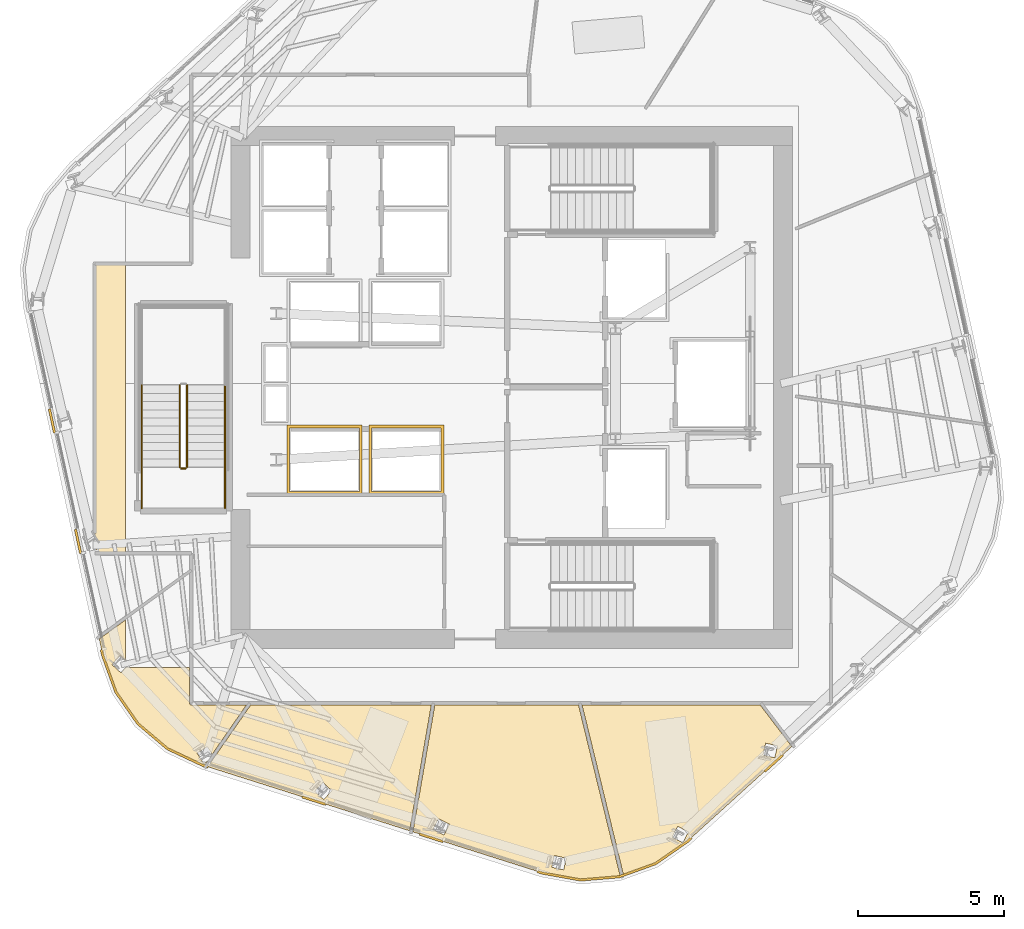
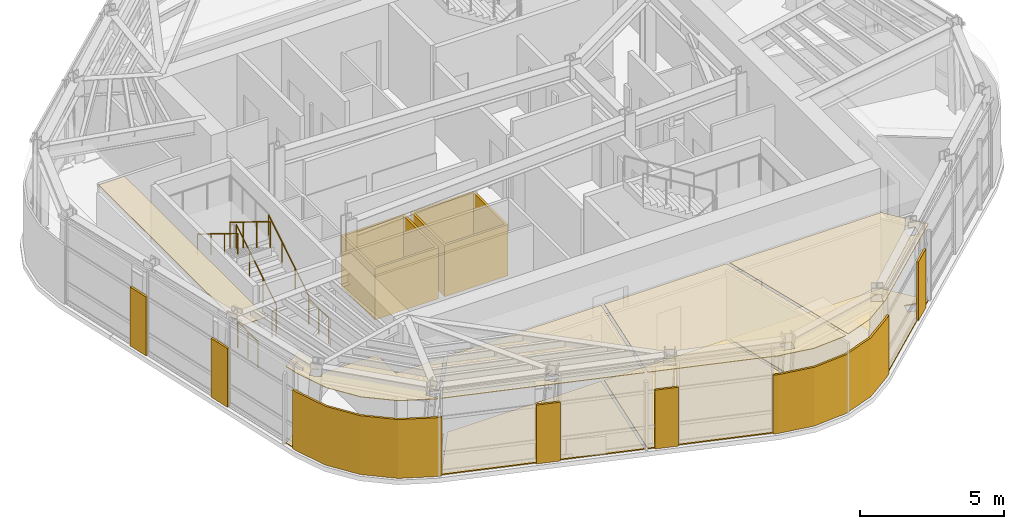
# One storey, part 11 of 15: 18 coverings, 7 railings.
"""IFC4 building model written with IfcOpenShell, lengths in metres."""

from ifc_helpers import new_model, si_unit, direction, frame, origin, origin_2d, place, context, subcontext, project, spatial, polyline, circle, outline, extrude, material, layer, layer_set, type_object, element, save


model = new_model("IFC4")

# Units and contexts
model_context = context("Model", 3, precision=1e-05, world=origin(), true_north=direction((0.0, 1.0)))
body_context = subcontext(model_context, "Body", "Model", "MODEL_VIEW")
ifc_project = project(units=[si_unit("LENGTHUNIT", "METRE"), si_unit("AREAUNIT", "SQUARE_METRE"), si_unit("VOLUMEUNIT", "CUBIC_METRE"), si_unit("PLANEANGLEUNIT", "RADIAN"), si_unit("MASSUNIT", "GRAM", prefix="KILO")], contexts=[model_context])

# Site, building, storey
site_placement = place(None, origin())
site = spatial("IfcSite", under=ifc_project, at=site_placement, CompositionType="ELEMENT")
building_placement = place(site_placement, origin())
building = spatial("IfcBuilding", under=site, at=building_placement, Name="Valkerne Bourse Tower", CompositionType="ELEMENT")
storey_placement = place(building_placement, frame((0.0, 0.0, 205.60009765625)))
storey = spatial("IfcBuildingStorey", under=building, at=storey_placement, Name="L52", CompositionType="ELEMENT", Elevation=205.60009765625)

# Coverings
ifc_material_1 = material(Name="Mineral Fiber Acoustic Ceiling Tile", Category="acoustic")
ifc_layer_1 = layer(ifc_material_1, 0.02490234375)
ifc_layer_set_1 = layer_set([ifc_layer_1], Name="Mineral Fiber Acoustic Ceiling Tile")
covering_type_1 = type_object("IfcCoveringType", Name="COV-CEIL-ACT", PredefinedType="CEILING", material=ifc_layer_set_1)
covering_1_placement = place(storey_placement, frame((0.0, 0.0, 3.25)))
element("IfcCovering", 1, at=covering_1_placement, inside=storey, type_object=covering_type_1, Name="L52 Suspended Ceiling 04", PredefinedType="CEILING", context=body_context, shape_type="SweptSolid", body=[
    extrude(outline(polyline([(34.02392578125, 15.374755859375), (33.270751953125, 16.458251953125), (32.820556640625, 17.70849609375), (32.6982421875, 18.274169921875), (33.60009765625, 18.925537109375), (33.60009765625, 17.528564453125), (33.411865234375, 17.7001953125), (33.13232421875, 17.394287109375), (33.1337890625, 17.392333984375), (33.4375, 17.115478515625), (33.606201171875, 17.300048828125), (35.781005859375, 17.300048828125), (35.781005859375, 16.07958984375), (35.787353515625, 16.05078125), (35.81396484375, 16.02099609375), (35.849365234375, 16.010986328125), (37.729248046875, 16.010986328125), (36.558349609375, 14.32568359375), (36.394775390625, 14.58349609375), (36.392822265625, 14.585205078125), (36.04541015625, 14.36376953125), (36.26708984375, 14.0146484375), (36.26904296875, 14.01318359375), (36.3984375, 14.095703125), (36.289794921875, 13.939453125), (36.234375, 13.95703125), (35.03173828125, 14.52294921875), (34.02392578125, 15.374755859375)])), origin(), (0.0, 0.0, 1.0), 0.02490234375),
])
covering_2_placement = place(storey_placement, frame((0.0, 0.0, 3.25)))
element("IfcCovering", 2, at=covering_2_placement, inside=storey, type_object=covering_type_1, Name="L52 Suspended Ceiling 05", PredefinedType="CEILING", context=body_context, shape_type="SweptSolid", body=[
    extrude(outline(polyline([(44.052001953125, 16.010986328125), (43.309326171875, 11.7119140625), (36.40771484375, 13.902099609375), (37.872802734375, 16.010986328125), (44.052001953125, 16.010986328125)]), holes=[polyline([(40.349853515625, 13.3642578125), (40.347900390625, 13.365234375), (40.068115234375, 13.06298828125), (40.37109375, 12.781494140625), (40.373291015625, 12.78076171875), (40.653076171875, 13.082763671875), (40.349853515625, 13.3642578125)])]), origin(), (0.0, 0.0, 1.0), 0.02490234375),
])
covering_3_placement = place(storey_placement, frame((0.0, 0.0, 3.25)))
element("IfcCovering", 3, at=covering_3_placement, inside=storey, type_object=covering_type_1, Name="L52 Suspended Ceiling 06", PredefinedType="CEILING", context=body_context, shape_type="SweptSolid", body=[
    extrude(outline(polyline([(50.62451171875, 10.199462890625), (49.207763671875, 16.010986328125), (55.302001953125, 16.010986328125), (56.3798828125, 14.5908203125), (52.807861328125, 11.351318359375), (51.71630859375, 10.5927734375), (50.62451171875, 10.199462890625)]), holes=[polyline([(52.843505859375, 11.671875), (52.478759765625, 11.8623046875), (52.4765625, 11.861572265625), (52.285888671875, 11.494384765625), (52.650390625, 11.3037109375), (52.65283203125, 11.3046875), (52.843505859375, 11.671875)]), polyline([(55.888671875, 14.6162109375), (55.487548828125, 14.7080078125), (55.485595703125, 14.706787109375), (55.39404296875, 14.302978515625), (55.795166015625, 14.211181640625), (55.797119140625, 14.21240234375), (55.888671875, 14.6162109375)])]), origin(), (0.0, 0.0, 1.0), 0.02490234375),
])
covering_4_placement = place(storey_placement, frame((0.0, 0.0, 3.25)))
element("IfcCovering", 4, at=covering_4_placement, inside=storey, type_object=covering_type_1, Name="L52 Suspended Ceiling 07", PredefinedType="CEILING", context=body_context, shape_type="SweptSolid", body=[
    extrude(outline(polyline([(47.851806640625, 10.2705078125), (43.4228515625, 11.67578125), (44.171630859375, 16.010986328125), (49.086181640625, 16.010986328125), (50.5126953125, 10.1591796875), (50.474853515625, 10.1455078125), (49.159912109375, 10.035400390625), (47.851806640625, 10.2705078125)]), holes=[polyline([(44.300537109375, 12.1240234375), (44.29833984375, 12.12451171875), (44.111083984375, 11.757568359375), (44.4794921875, 11.569091796875), (44.481689453125, 11.56884765625), (44.668701171875, 11.935791015625), (44.300537109375, 12.1240234375)]), polyline([(48.66650390625, 10.777099609375), (48.2626953125, 10.8662109375), (48.260498046875, 10.865966796875), (48.17236328125, 10.463623046875), (48.576171875, 10.374755859375), (48.57861328125, 10.375), (48.66650390625, 10.777099609375)])]), origin(), (0.0, 0.0, 1.0), 0.02490234375),
])
ifc_material_2 = material(Name="Bronze Anodised Aluminium AA 6063-T6", Category="aluminium")
ifc_layer_2 = layer(ifc_material_2, 0.030029296875)
ifc_layer_set_2 = layer_set([ifc_layer_2], Name="Bronze Anodised Aluminium AA 6063-T6")
covering_type_2 = type_object("IfcCoveringType", Name="COV-CEIL-METAL", PredefinedType="CEILING", material=ifc_layer_set_2)
covering_5_placement = place(storey_placement, frame((0.0, 0.0, 3.25)))
element("IfcCovering", 5, at=covering_5_placement, inside=storey, type_object=covering_type_2, Name="L52 Suspended Ceiling 02", PredefinedType="CEILING", context=body_context, shape_type="SweptSolid", body=[
    extrude(outline(polyline([(32.553955078125, 21.2041015625), (32.553955078125, 21.317626953125), (32.758056640625, 21.44970703125), (32.757080078125, 21.45166015625), (32.553955078125, 21.76513671875), (32.553955078125, 31.095947265625), (33.60009765625, 31.095947265625), (33.60009765625, 21.2041015625), (32.553955078125, 21.2041015625)])), origin(), (0.0, 0.0, 1.0), 0.02490234375),
])
ifc_layer_3 = layer(ifc_material_2, 0.06005859375)
ifc_layer_set_3 = layer_set([ifc_layer_3], Name="Bronze Anodised Aluminium AA 6063-T6")
covering_type_3 = type_object("IfcCoveringType", Name="COV-CRN-ALUM", PredefinedType="CLADDING", material=ifc_layer_set_3)
covering_6_placement = place(storey_placement, origin())
element("IfcCovering", 6, at=covering_6_placement, inside=storey, type_object=covering_type_3, Name="L52 Wind-Shaped Corner Aluminium Cladding 03", PredefinedType="CLADDING", context=body_context, shape_type="SweptSolid", body=[
    extrude(outline(polyline([(55.476318359375, 13.7119140625), (55.42236328125, 13.77099609375), (56.044677734375, 14.335205078125), (56.098388671875, 14.276123046875), (55.476318359375, 13.7119140625)])), origin(), (0.0, 0.0, 1.0), 2.5),
])
covering_7_placement = place(storey_placement, origin())
element("IfcCovering", 7, at=covering_7_placement, inside=storey, type_object=covering_type_3, Name="L52 Wind-Shaped Corner Aluminium Cladding 04", PredefinedType="CLADDING", context=body_context, shape_type="SweptSolid", body=[
    extrude(outline(polyline([(52.835205078125, 11.316650390625), (51.73681640625, 10.55322265625), (50.484375, 10.102294921875), (49.157958984375, 9.990966796875), (47.84130859375, 10.227783203125), (47.656982421875, 10.2861328125), (47.681396484375, 10.3623046875), (47.8603515625, 10.3056640625), (49.16162109375, 10.071533203125), (50.467041015625, 10.18115234375), (51.69970703125, 10.625), (52.785400390625, 11.37939453125), (52.924560546875, 11.505615234375), (52.978515625, 11.446533203125), (52.835205078125, 11.316650390625)])), origin(), (0.0, 0.0, 1.0), 2.5),
])
covering_8_placement = place(storey_placement, origin())
element("IfcCovering", 8, at=covering_8_placement, inside=storey, type_object=covering_type_3, Name="L52 Wind-Shaped Corner Aluminium Cladding 05", PredefinedType="CLADDING", context=body_context, shape_type="SweptSolid", body=[
    extrude(outline(polyline([(43.642333984375, 11.560302734375), (43.66650390625, 11.636474609375), (44.46728515625, 11.38232421875), (44.443115234375, 11.30615234375), (43.642333984375, 11.560302734375)])), origin(), (0.0, 0.0, 1.0), 2.5),
])
covering_9_placement = place(storey_placement, origin())
element("IfcCovering", 9, at=covering_9_placement, inside=storey, type_object=covering_type_3, Name="L52 Wind-Shaped Corner Aluminium Cladding 06", PredefinedType="CLADDING", context=body_context, shape_type="SweptSolid", body=[
    extrude(outline(polyline([(39.627685546875, 12.833984375), (39.65185546875, 12.910400390625), (40.452392578125, 12.65625), (40.42822265625, 12.580078125), (39.627685546875, 12.833984375)])), origin(), (0.0, 0.0, 1.0), 2.5),
])
covering_10_placement = place(storey_placement, origin())
element("IfcCovering", 10, at=covering_10_placement, inside=storey, type_object=covering_type_3, Name="L52 Wind-Shaped Corner Aluminium Cladding 07", PredefinedType="CLADDING", context=body_context, shape_type="SweptSolid", body=[
    extrude(outline(polyline([(36.21826171875, 13.916015625), (35.0078125, 14.485595703125), (33.9912109375, 15.3447265625), (33.231201171875, 16.43798828125), (32.7783203125, 17.6962890625), (32.73486328125, 17.896728515625), (32.81298828125, 17.913818359375), (32.855224609375, 17.718505859375), (33.302978515625, 16.474853515625), (34.05078125, 15.399169921875), (35.051513671875, 14.553466796875), (36.247314453125, 13.99072265625), (36.437744140625, 13.93017578125), (36.41357421875, 13.85400390625), (36.21826171875, 13.916015625)])), origin(), (0.0, 0.0, 1.0), 2.5),
])
covering_11_placement = place(storey_placement, origin())
element("IfcCovering", 11, at=covering_11_placement, inside=storey, type_object=covering_type_3, Name="L52 Wind-Shaped Corner Aluminium Cladding 08", PredefinedType="CLADDING", context=body_context, shape_type="SweptSolid", body=[
    extrude(outline(polyline([(31.844482421875, 22.013427734375), (31.922607421875, 22.030517578125), (32.10009765625, 21.20947265625), (32.02197265625, 21.1923828125), (31.844482421875, 22.013427734375)])), origin(), (0.0, 0.0, 1.0), 2.5),
])
covering_12_placement = place(storey_placement, origin())
element("IfcCovering", 12, at=covering_12_placement, inside=storey, type_object=covering_type_3, Name="L52 Wind-Shaped Corner Aluminium Cladding 09", PredefinedType="CLADDING", context=body_context, shape_type="SweptSolid", body=[
    extrude(outline(polyline([(30.953857421875, 26.13037109375), (31.031982421875, 26.1474609375), (31.209716796875, 25.326416015625), (31.131591796875, 25.309326171875), (30.953857421875, 26.13037109375)])), origin(), (0.0, 0.0, 1.0), 2.5),
])
ifc_material_3 = material(Name="Galvanised Painted Steel", Category="steel")
ifc_layer_4 = layer(ifc_material_3, 0.044921875)
ifc_layer_set_4 = layer_set([ifc_layer_4], Name="Galvanised Painted Steel")
covering_type_4 = type_object("IfcCoveringType", Name="COV-FLR-RAF", PredefinedType="FLOORING", material=ifc_layer_set_4)
covering_13_placement = place(storey_placement, origin())
element("IfcCovering", 13, at=covering_13_placement, inside=storey, type_object=covering_type_4, Name="L52 Floor Finish 05", PredefinedType="FLOORING", context=body_context, shape_type="SweptSolid", body=[
    extrude(outline(polyline([(44.052001953125, 16.010986328125), (43.309326171875, 11.7119140625), (36.40771484375, 13.902099609375), (37.872802734375, 16.010986328125), (44.052001953125, 16.010986328125)]), holes=[polyline([(40.349853515625, 13.3642578125), (40.347900390625, 13.365234375), (40.068115234375, 13.06298828125), (40.37109375, 12.781494140625), (40.373291015625, 12.78076171875), (40.653076171875, 13.082763671875), (40.349853515625, 13.3642578125)])]), origin(), (0.0, 0.0, 1.0), 0.044921875),
])
covering_14_placement = place(storey_placement, origin())
element("IfcCovering", 14, at=covering_14_placement, inside=storey, type_object=covering_type_4, Name="L52 Floor Finish 06", PredefinedType="FLOORING", context=body_context, shape_type="SweptSolid", body=[
    extrude(outline(polyline([(50.62451171875, 10.199462890625), (49.207763671875, 16.010986328125), (55.302001953125, 16.010986328125), (56.3798828125, 14.5908203125), (52.807861328125, 11.351318359375), (51.71630859375, 10.5927734375), (50.62451171875, 10.199462890625)]), holes=[polyline([(52.843505859375, 11.671875), (52.478759765625, 11.8623046875), (52.4765625, 11.861572265625), (52.285888671875, 11.494384765625), (52.650390625, 11.3037109375), (52.65283203125, 11.3046875), (52.843505859375, 11.671875)]), polyline([(55.888671875, 14.6162109375), (55.487548828125, 14.7080078125), (55.485595703125, 14.706787109375), (55.39404296875, 14.302978515625), (55.795166015625, 14.211181640625), (55.797119140625, 14.21240234375), (55.888671875, 14.6162109375)])]), origin(), (0.0, 0.0, 1.0), 0.044921875),
])
covering_15_placement = place(storey_placement, origin())
element("IfcCovering", 15, at=covering_15_placement, inside=storey, type_object=covering_type_4, Name="L52 Floor Finish 07", PredefinedType="FLOORING", context=body_context, shape_type="SweptSolid", body=[
    extrude(outline(polyline([(47.851806640625, 10.2705078125), (43.4228515625, 11.67578125), (44.171630859375, 16.010986328125), (49.086181640625, 16.010986328125), (50.5126953125, 10.1591796875), (50.474853515625, 10.1455078125), (49.159912109375, 10.035400390625), (47.851806640625, 10.2705078125)]), holes=[polyline([(44.300537109375, 12.1240234375), (44.29833984375, 12.12451171875), (44.111083984375, 11.757568359375), (44.4794921875, 11.569091796875), (44.481689453125, 11.56884765625), (44.668701171875, 11.935791015625), (44.300537109375, 12.1240234375)]), polyline([(48.66650390625, 10.777099609375), (48.2626953125, 10.8662109375), (48.260498046875, 10.865966796875), (48.17236328125, 10.463623046875), (48.576171875, 10.374755859375), (48.57861328125, 10.375), (48.66650390625, 10.777099609375)])]), origin(), (0.0, 0.0, 1.0), 0.044921875),
])
ifc_material_4 = material(Name="Polished Granite Stone", Category="masonry")
ifc_layer_5 = layer(ifc_material_4, 0.030029296875)
ifc_layer_set_5 = layer_set([ifc_layer_5], Name="Polished Granite Stone")
covering_type_5 = type_object("IfcCoveringType", Name="COV-FLR-TERRAZZO", PredefinedType="FLOORING", material=ifc_layer_set_5)
covering_16_placement = place(storey_placement, origin())
element("IfcCovering", 16, at=covering_16_placement, inside=storey, type_object=covering_type_5, Name="L52 Floor Finish 04", PredefinedType="FLOORING", context=body_context, shape_type="SweptSolid", body=[
    extrude(outline(polyline([(34.02392578125, 15.374755859375), (33.270751953125, 16.458251953125), (32.820556640625, 17.70849609375), (32.6982421875, 18.274169921875), (33.60009765625, 18.925537109375), (33.60009765625, 17.528564453125), (33.411865234375, 17.7001953125), (33.13232421875, 17.394287109375), (33.1337890625, 17.392333984375), (33.4375, 17.115478515625), (33.606201171875, 17.300048828125), (35.781005859375, 17.300048828125), (35.781005859375, 16.07958984375), (35.787353515625, 16.05078125), (35.81396484375, 16.02099609375), (35.849365234375, 16.010986328125), (37.729248046875, 16.010986328125), (36.558349609375, 14.32568359375), (36.394775390625, 14.58349609375), (36.392822265625, 14.585205078125), (36.04541015625, 14.36376953125), (36.26708984375, 14.0146484375), (36.26904296875, 14.01318359375), (36.3984375, 14.095703125), (36.289794921875, 13.939453125), (36.234375, 13.95703125), (35.03173828125, 14.52294921875), (34.02392578125, 15.374755859375)])), origin(), (0.0, 0.0, 1.0), 0.02978515625),
])
ifc_material_5 = material(Name="Gypsum Shaftwall Liner Board", Category="gypsum")
ifc_layer_6 = layer(ifc_material_5, 0.080078125)
ifc_layer_set_6 = layer_set([ifc_layer_6], Name="Gypsum Shaftwall Liner Board")
covering_type_6 = type_object("IfcCoveringType", Name="COV-SHF-CLAD", PredefinedType="CLADDING", material=ifc_layer_set_6)
covering_17_placement = place(storey_placement, origin())
element("IfcCovering", 17, at=covering_17_placement, inside=storey, type_object=covering_type_6, Name="L52 Hoistway & Riser Shaftwall Liner 01", PredefinedType="CLADDING", context=body_context, shape_type="SweptSolid", body=[
    extrude(outline(polyline([(41.679931640625, 25.580078125), (41.679931640625, 23.219970703125), (39.1201171875, 23.219970703125), (39.1201171875, 25.580078125), (41.679931640625, 25.580078125)]), holes=[polyline([(41.590087890625, 25.489990234375), (39.2099609375, 25.489990234375), (39.2099609375, 23.31005859375), (41.590087890625, 23.31005859375), (41.590087890625, 25.489990234375)])]), origin(), (0.0, 0.0, 1.0), 2.179931640625),
])
covering_18_placement = place(storey_placement, origin())
element("IfcCovering", 18, at=covering_18_placement, inside=storey, type_object=covering_type_6, Name="L52 Hoistway & Riser Shaftwall Liner 02", PredefinedType="CLADDING", context=body_context, shape_type="SweptSolid", body=[
    extrude(outline(polyline([(44.47998046875, 23.219970703125), (41.919921875, 23.219970703125), (41.919921875, 25.580078125), (44.47998046875, 25.580078125), (44.47998046875, 23.219970703125)]), holes=[polyline([(42.010009765625, 25.489990234375), (42.010009765625, 23.31005859375), (44.389892578125, 23.31005859375), (44.389892578125, 25.489990234375), (42.010009765625, 25.489990234375)])]), origin(), (0.0, 0.0, 1.0), 2.179931640625),
])

# Railings
railing_type_1 = type_object("IfcRailingType", Name="RLG-ST-GUARD-1120", PredefinedType="GUARDRAIL", material=ifc_material_3)
railing_1_placement = place(storey_placement, frame((35.699951171875, 24.14990234375, 0.172607421875)))
element("IfcRailing", 19, at=railing_1_placement, inside=storey, type_object=railing_type_1, Name="L52 ST-3 stair guard 1", PredefinedType="GUARDRAIL", context=body_context, shape_type="SweptSolid", body=[
    extrude(circle(Radius=0.02392578125, at=origin_2d()), frame((0.0, 0.0, 1.09619140625), z_axis=(0.0, 0.851089632645, 0.525020415988), x_axis=(-1.0, 0.0, 0.0)), (0.0, 0.0, 1.0), 3.2900390625),
    extrude(circle(Radius=0.02099609375, at=origin_2d()), origin(), (0.0, 0.0, 1.0), 1.072021484375),
    extrude(circle(Radius=0.02099609375, at=origin_2d()), frame((0.0, 0.933349609375, 0.57568359375)), (0.0, 0.0, 1.0), 1.072021484375),
    extrude(circle(Radius=0.02099609375, at=origin_2d()), frame((0.0, 1.86669921875, 1.151611328125)), (0.0, 0.0, 1.0), 1.072021484375),
    extrude(circle(Radius=0.02099609375, at=origin_2d()), frame((0.0, 2.800048828125, 1.727294921875)), (0.0, 0.0, 1.0), 1.072021484375),
])
railing_2_placement = place(storey_placement, frame((35.449951171875, 26.949951171875, 2.072509765625)))
element("IfcRailing", 20, at=railing_2_placement, inside=storey, type_object=railing_type_1, Name="L52 ST-3 stair guard 6", PredefinedType="GUARDRAIL", context=body_context, shape_type="SweptSolid", body=[
    extrude(circle(Radius=0.02392578125, at=origin_2d()), frame((0.0, 0.0, 1.09619140625), z_axis=(0.0, -0.851089632645, 0.525020415988), x_axis=(1.0, 0.0, 0.0)), (0.0, 0.0, 1.0), 3.2900390625),
    extrude(circle(Radius=0.02099609375, at=origin_2d()), origin(), (0.0, 0.0, 1.0), 1.072021484375),
    extrude(circle(Radius=0.02099609375, at=origin_2d()), frame((0.0, -0.933349609375, 0.57568359375)), (0.0, 0.0, 1.0), 1.072021484375),
    extrude(circle(Radius=0.02099609375, at=origin_2d()), frame((0.0, -1.86669921875, 1.151611328125)), (0.0, 0.0, 1.0), 1.072021484375),
    extrude(circle(Radius=0.02099609375, at=origin_2d()), frame((0.0, -2.800048828125, 1.727294921875)), (0.0, 0.0, 1.0), 1.072021484375),
])
railing_3_placement = place(storey_placement, frame((35.64990234375, 24.10009765625, 0.0)))
element("IfcRailing", 21, at=railing_3_placement, inside=storey, type_object=railing_type_1, Name="L52 ST-3 stair guard 7", PredefinedType="GUARDRAIL", context=body_context, shape_type="SweptSolid", body=[
    extrude(circle(Radius=0.02392578125, at=origin_2d()), frame((0.0, 0.0, 1.09619140625), z_axis=(-1.0, 0.0, 0.0), x_axis=(0.0, -1.0, 0.0)), (0.0, 0.0, 1.0), 0.14990234375),
    extrude(circle(Radius=0.02099609375, at=origin_2d()), origin(), (0.0, 0.0, 1.0), 1.072021484375),
    extrude(circle(Radius=0.02099609375, at=origin_2d()), frame((-0.14990234375, 0.0, 0.0)), (0.0, 0.0, 1.0), 1.072021484375),
])
for number, where, name in (
    (22, (37.0, 22.75, 0.0), "L52 ST-3 stair guard 8"),
    (23, (34.14990234375, 22.75, 0.0), "L52 ST-3 stair guard 9"),
):
    element("IfcRailing", number, at=place(storey_placement, frame(where)), inside=storey, type_object=railing_type_1, Name=name, PredefinedType="GUARDRAIL", context=body_context, shape_type="SweptSolid", body=[
        extrude(circle(Radius=0.02392578125, at=origin_2d()), frame((0.0, 0.0, 1.09619140625), z_axis=(0.0, 1.0, 0.0), x_axis=(-1.0, 0.0, 0.0)), (0.0, 0.0, 1.0), 1.39990234375),
        extrude(circle(Radius=0.02099609375, at=origin_2d()), origin(), (0.0, 0.0, 1.0), 1.072021484375),
        extrude(circle(Radius=0.02099609375, at=origin_2d()), frame((0.0, 0.699951171875, 0.0)), (0.0, 0.0, 1.0), 1.072021484375),
        extrude(circle(Radius=0.02099609375, at=origin_2d()), frame((0.0, 1.39990234375, 0.0)), (0.0, 0.0, 1.0), 1.072021484375),
    ])
ifc_material_6 = material(Name="Stainless Steel AISI 316", Category="steel")
railing_type_2 = type_object("IfcRailingType", Name="RLG-ST-HANDRAIL-900", PredefinedType="HANDRAIL", material=ifc_material_6)
railing_4_placement = place(storey_placement, frame((37.0, 24.14990234375, 0.345458984375)))
element("IfcRailing", 24, at=railing_4_placement, inside=storey, type_object=railing_type_2, Name="L52 ST-3 stair handrail 1", PredefinedType="HANDRAIL", context=body_context, shape_type="SweptSolid", body=[
    extrude(circle(Radius=0.02392578125, at=origin_2d()), frame((0.0, 0.0, 0.8759765625), z_axis=(0.0, 0.851122791225, 0.524966660138), x_axis=(-1.0, 0.0, 0.0)), (0.0, 0.0, 1.0), 3.289794921875),
    extrude(circle(Radius=0.02099609375, at=origin_2d()), origin(), (0.0, 0.0, 1.0), 0.851806640625),
    extrude(circle(Radius=0.02099609375, at=origin_2d()), frame((0.0, 0.933349609375, 0.57568359375)), (0.0, 0.0, 1.0), 0.851806640625),
    extrude(circle(Radius=0.02099609375, at=origin_2d()), frame((0.0, 1.86669921875, 1.1513671875)), (0.0, 0.0, 1.0), 0.851806640625),
    extrude(circle(Radius=0.02099609375, at=origin_2d()), frame((0.0, 2.800048828125, 1.72705078125)), (0.0, 0.0, 1.0), 0.851806640625),
])
railing_5_placement = place(storey_placement, frame((34.14990234375, 26.949951171875, 2.245361328125)))
element("IfcRailing", 25, at=railing_5_placement, inside=storey, type_object=railing_type_2, Name="L52 ST-3 stair handrail 2", PredefinedType="HANDRAIL", context=body_context, shape_type="SweptSolid", body=[
    extrude(circle(Radius=0.02392578125, at=origin_2d()), frame((0.0, 0.0, 0.8759765625), z_axis=(0.0, -0.851089632645, 0.525020415988), x_axis=(1.0, 0.0, 0.0)), (0.0, 0.0, 1.0), 3.2900390625),
    extrude(circle(Radius=0.02099609375, at=origin_2d()), origin(), (0.0, 0.0, 1.0), 0.851806640625),
    extrude(circle(Radius=0.02099609375, at=origin_2d()), frame((0.0, -0.933349609375, 0.57568359375)), (0.0, 0.0, 1.0), 0.851806640625),
    extrude(circle(Radius=0.02099609375, at=origin_2d()), frame((0.0, -1.86669921875, 1.151611328125)), (0.0, 0.0, 1.0), 0.851806640625),
    extrude(circle(Radius=0.02099609375, at=origin_2d()), frame((0.0, -2.800048828125, 1.727294921875)), (0.0, 0.0, 1.0), 0.851806640625),
])

save(model, "model.ifc")
